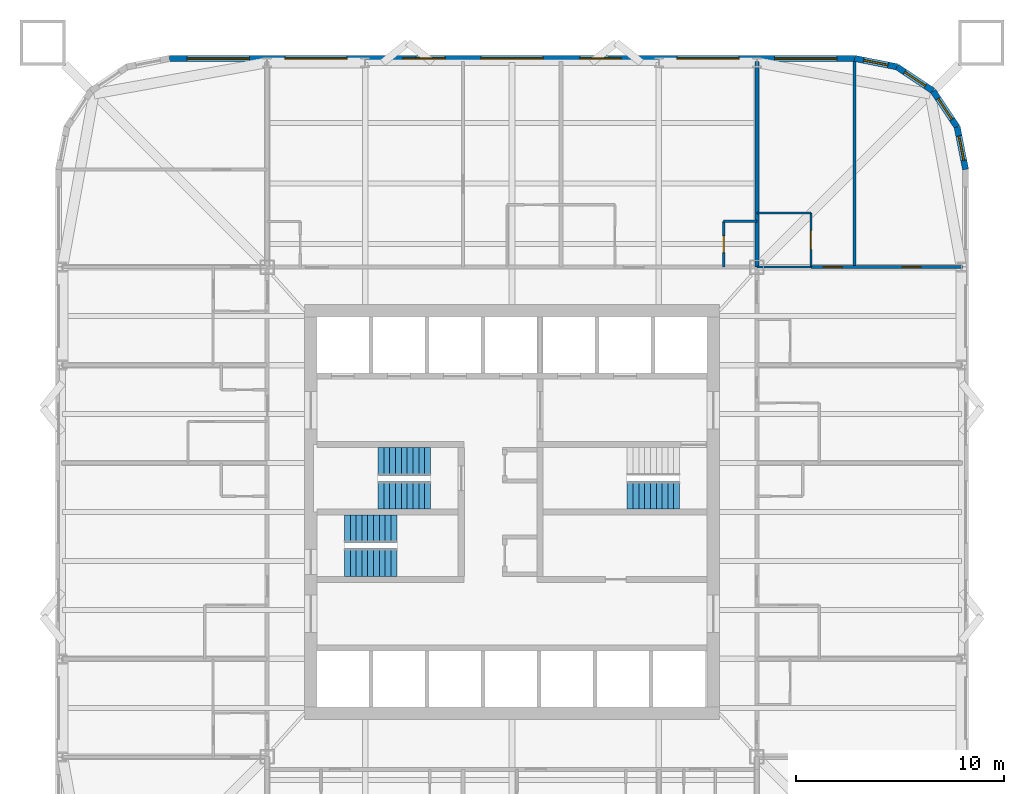
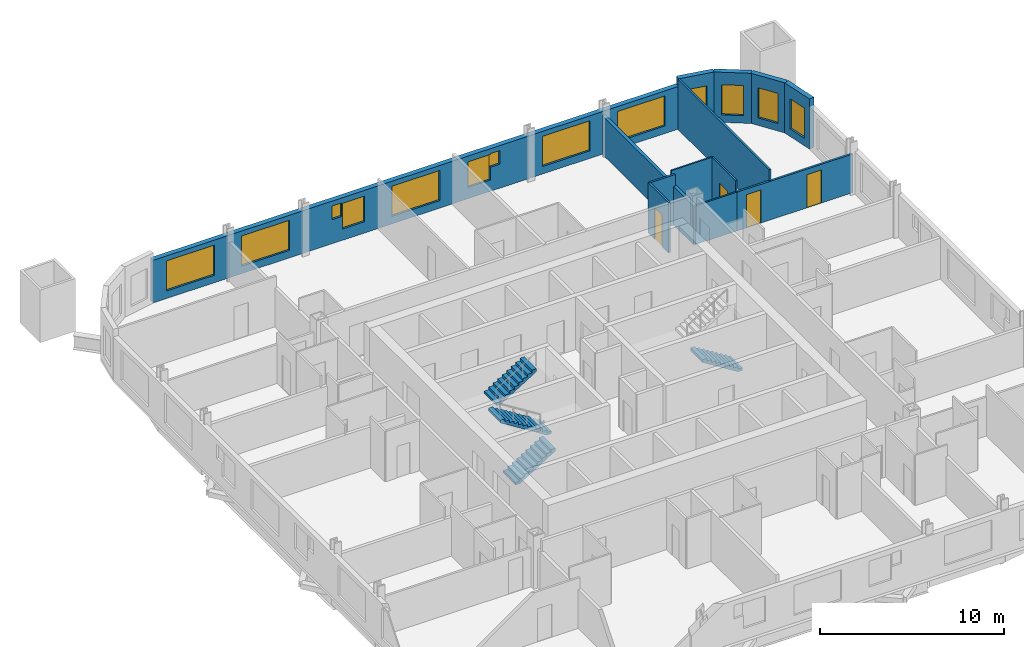
# One storey, part 8 of 10: 13 walls, 13 windows, 5 stair flights, 4 doors, 17 openings, 3 elements without a shape of their own.
"""IFC4 building model written with IfcOpenShell, lengths in metres."""

import ifcopenshell
import ifcopenshell.guid

model = None  # the IFC model being written
_history = None  # IfcOwnerHistory: only IFC2X3 demands one
_inside = {}  # id of a spatial element -> (the spatial element, [elements in it])
_under = {}  # id of a project, library or spatial element -> (it, [spatial elements below it])
_declared = {}  # id of a project -> (the project, [libraries it declares])
_typed = {}  # id of a type object -> (the type object, [elements of that type])
_made_of = {}  # id of a material, layer set ... -> (it, [elements and type objects made of it])


def new_model(schema):
    """Start an empty IFC model of exactly this schema.

    Asked for "IFC4X3", IfcOpenShell would pick the latest addendum, in which some entities
    have other attributes; the version numbers below select the first issue.
    IFC2X3 requires an IfcOwnerHistory on every rooted entity: one is made here for all.
    """
    global model, _history
    if schema == "IFC4X3":
        model = ifcopenshell.file(schema_version=(4, 3, 0, 0))
    else:
        model = ifcopenshell.file(schema=schema)
    _inside.clear()
    _under.clear()
    _declared.clear()
    _typed.clear()
    _made_of.clear()
    _history = None
    if model.schema == "IFC2X3":
        org = make("IfcOrganization", Name="unknown")
        user = make(
            "IfcPersonAndOrganization",
            ThePerson=make("IfcPerson", FamilyName="unknown"),
            TheOrganization=org,
        )
        app = make(
            "IfcApplication",
            ApplicationDeveloper=org,
            Version="unknown",
            ApplicationFullName="unknown",
            ApplicationIdentifier="unknown",
        )
        _history = make(
            "IfcOwnerHistory",
            OwningUser=user,
            OwningApplication=app,
            ChangeAction="ADDED",
            CreationDate=0,
        )
    return model


def make(cls, **values):
    """One entity of the class cls with the attributes given. An attribute that is None is left unset."""
    return model.create_entity(
        cls, **{name: value for name, value in values.items() if value is not None}
    )


def rooted(cls, **values):
    """An entity with a GlobalId (a new one), such as an element, a storey or a relation."""
    return make(cls, GlobalId=ifcopenshell.guid.new(), OwnerHistory=_history, **values)


def si_unit(unit_type, name, prefix=None):
    """IfcSIUnit, for example si_unit("LENGTHUNIT", "METRE", prefix="MILLI")."""
    return make("IfcSIUnit", UnitType=unit_type, Prefix=prefix, Name=name)


def assignment(units):
    """IfcUnitAssignment: the units of a project."""
    return None if units is None else make("IfcUnitAssignment", Units=units)


def point(xyz):
    """IfcCartesianPoint."""
    return None if xyz is None else make("IfcCartesianPoint", Coordinates=xyz)


def direction(xyz):
    """IfcDirection."""
    return None if xyz is None else make("IfcDirection", DirectionRatios=xyz)


def frame(location, z_axis=None, x_axis=None):
    """IfcAxis2Placement3D, a coordinate frame: its origin and axes. An axis left out is left unset."""
    return make(
        "IfcAxis2Placement3D",
        Location=point(location),
        Axis=direction(z_axis),
        RefDirection=direction(x_axis),
    )


def frame_2d(location, x_axis=None):
    """IfcAxis2Placement2D, a coordinate frame in the plane: its origin and x axis."""
    return make(
        "IfcAxis2Placement2D", Location=point(location), RefDirection=direction(x_axis)
    )


def origin():
    """The frame at (0, 0, 0) with its axes left unset."""
    return frame((0.0, 0.0, 0.0))


def place(relative_to, where):
    """IfcLocalPlacement: puts the frame where relative to a parent placement (None: the world)."""
    return make(
        "IfcLocalPlacement", PlacementRelTo=relative_to, RelativePlacement=where
    )


def context(
    kind, dimensions, precision=None, world=None, true_north=None, identifier=None
):
    """IfcGeometricRepresentationContext, for example the 3D "Model" context."""
    return make(
        "IfcGeometricRepresentationContext",
        ContextIdentifier=identifier,
        ContextType=kind,
        CoordinateSpaceDimension=dimensions,
        Precision=precision,
        WorldCoordinateSystem=world,
        TrueNorth=true_north,
    )


def subcontext(parent, identifier, kind, view, scale=None):
    """IfcGeometricRepresentationSubContext, for example "Body" below "Model"."""
    return make(
        "IfcGeometricRepresentationSubContext",
        ContextIdentifier=identifier,
        ContextType=kind,
        ParentContext=parent,
        TargetScale=scale,
        TargetView=view,
    )


def project(units=None, contexts=None):
    """IfcProject with its units and contexts."""
    return rooted(
        "IfcProject",
        Name="project",
        RepresentationContexts=contexts,
        UnitsInContext=assignment(units),
    )


def spatial(cls, under=None, at=None, **own):
    """A site, building, storey or space (cls), placed at a placement, below another one or the project."""
    s = rooted(cls, ObjectPlacement=at, **own)
    if under is not None:
        _under.setdefault(under.id(), (under, []))[1].append(s)
    return s


def polyline(points):
    """IfcPolyline through the points."""
    return make("IfcPolyline", Points=[point(p) for p in points])


def profile(cls, at=None, kind="AREA", **sizes):
    """A parametric profile (cls). Its sizes go by their IFC names, for example OverallWidth=200.0."""
    return make(cls, ProfileType=kind, Position=at, **sizes)


def rectangle(**sizes):
    """IfcRectangleProfileDef."""
    return profile("IfcRectangleProfileDef", **sizes)


def outline(outer, holes=None, kind="AREA"):
    """IfcArbitraryClosedProfileDef: a profile drawn as a closed curve; with holes, ...WithVoids."""
    if holes is None:
        return make("IfcArbitraryClosedProfileDef", ProfileType=kind, OuterCurve=outer)
    return make(
        "IfcArbitraryProfileDefWithVoids",
        ProfileType=kind,
        OuterCurve=outer,
        InnerCurves=holes,
    )


def extrude(swept, where, along, depth):
    """IfcExtrudedAreaSolid: the profile swept, set in the frame where, extruded along a direction by depth."""
    return make(
        "IfcExtrudedAreaSolid",
        SweptArea=swept,
        Position=where,
        ExtrudedDirection=direction(along),
        Depth=depth,
    )


def shape(context_of_items, identifier, shape_type, items):
    """IfcShapeRepresentation: the items that make up one representation, for example the "Body"."""
    return make(
        "IfcShapeRepresentation",
        ContextOfItems=context_of_items,
        RepresentationIdentifier=identifier,
        RepresentationType=shape_type,
        Items=items,
    )


def material(Name=None, Category=None):
    """IfcMaterial."""
    return make("IfcMaterial", Name=Name, Category=Category)


def layer(
    of_material, thickness, ventilated=None, Name=None, Category=None, Priority=None
):
    """IfcMaterialLayer: one layer of a wall or slab, of a material (None: an air gap)."""
    return make(
        "IfcMaterialLayer",
        Material=of_material,
        LayerThickness=thickness,
        IsVentilated=ventilated,
        Name=Name,
        Category=Category,
        Priority=Priority,
    )


def layer_set(layers, Name=None):
    """IfcMaterialLayerSet."""
    return make("IfcMaterialLayerSet", MaterialLayers=layers, LayerSetName=Name)


def made_of(thing, what):
    """Note that an element or type object is made of a material, layer set ...; save() writes the relation."""
    if what is not None:
        _made_of.setdefault(what.id(), (what, []))[1].append(thing)
    return thing


def type_object(cls, material=None, **own):
    """A type object (cls), such as IfcWallType, which elements share."""
    return made_of(rooted(cls, **own), material)


def element(
    cls,
    number,
    at=None,
    inside=None,
    cuts=None,
    type_object=None,
    material=None,
    context=None,
    identifier="Body",
    shape_type=None,
    held_by="IfcProductDefinitionShape",
    body=None,
    shapes=None,
    **own,
):
    """One element of the class cls, such as IfcWall. Its Tag is "e" and its number.

    at: its placement. inside: the storey or other place that contains it. cuts: it is an
    opening in that element (IfcRelVoidsElement). A single representation is given by context,
    identifier, shape_type and body (its items); several are given by shapes. held_by: the class
    of the entity that holds the representations. save() writes the other relations.
    """
    e = rooted(cls, Tag="e%d" % number, ObjectPlacement=at, **own)
    if body is not None:
        shapes = [shape(context, identifier, shape_type, body)]
    if shapes is not None:
        e.Representation = make(held_by, Representations=shapes)
    if inside is not None:
        _inside.setdefault(inside.id(), (inside, []))[1].append(e)
    if cuts is not None:
        rooted(
            "IfcRelVoidsElement", RelatingBuildingElement=cuts, RelatedOpeningElement=e
        )
    if type_object is not None:
        _typed.setdefault(type_object.id(), (type_object, []))[1].append(e)
    return made_of(e, material)


def fill(opening, filler):
    """IfcRelFillsElement: the door or window that sits in an opening."""
    return rooted(
        "IfcRelFillsElement",
        RelatingOpeningElement=opening,
        RelatedBuildingElement=filler,
    )


def aggregate(whole, parts):
    """IfcRelAggregates: a whole, such as a stair, and the parts it consists of."""
    return rooted("IfcRelAggregates", RelatingObject=whole, RelatedObjects=parts)


def save(model, path):
    """Write the relations noted so far, then the file.

    IfcRelAggregates (storeys below a building ...), IfcRelContainedInSpatialStructure (elements
    in a storey), IfcRelDefinesByType, IfcRelAssociatesMaterial and IfcRelDeclares: one each for
    every whole, place, type object, material and project.
    """
    for whole, parts in _under.values():
        aggregate(whole, parts)
    for where, things in _inside.values():
        rooted(
            "IfcRelContainedInSpatialStructure",
            RelatedElements=things,
            RelatingStructure=where,
        )
    for kind, things in _typed.values():
        rooted("IfcRelDefinesByType", RelatedObjects=things, RelatingType=kind)
    for what, things in _made_of.values():
        rooted("IfcRelAssociatesMaterial", RelatedObjects=things, RelatingMaterial=what)
    for by, libraries in _declared.values():
        rooted("IfcRelDeclares", RelatingContext=by, RelatedDefinitions=libraries)
    model.write(path)


model = new_model("IFC4")

# Units and contexts
model_context = context("Model", 3, precision=1e-05, world=origin(), true_north=direction((0.0, 1.0)))
body_context = subcontext(model_context, "Body", "Model", "MODEL_VIEW")
ifc_project = project(units=[si_unit("LENGTHUNIT", "METRE"), si_unit("AREAUNIT", "SQUARE_METRE"), si_unit("VOLUMEUNIT", "CUBIC_METRE"), si_unit("PLANEANGLEUNIT", "RADIAN"), si_unit("MASSUNIT", "GRAM", prefix="KILO")], contexts=[model_context])

# Site, building, storey
site_placement = place(None, origin())
site = spatial("IfcSite", under=ifc_project, at=site_placement, CompositionType="ELEMENT")
building_placement = place(site_placement, origin())
building = spatial("IfcBuilding", under=site, at=building_placement, Name="Turquesa Mirador Hotel Tower", CompositionType="ELEMENT")
storey_placement = place(building_placement, frame((0.0, 0.0, 63.5)))
storey = spatial("IfcBuildingStorey", under=building, at=storey_placement, Name="L16", CompositionType="ELEMENT", Elevation=63.5)

# Walls
ifc_material_1 = material(Name="Gypsum board on steel studs", Category="steel")
ifc_layer_1 = layer(ifc_material_1, 0.10009765625)
ifc_layer_set_1 = layer_set([ifc_layer_1], Name="BATHROOM WALL 100")
wall_type_1 = type_object("IfcWallType", Name="BATHROOM WALL 100", PredefinedType="PARTITIONING", material=ifc_layer_set_1)
wall_1_placement = place(storey_placement, frame((66.800048828125, 56.800048828125, 0.0), z_axis=(0.0, 0.0, 1.0), x_axis=(1.0, 0.0, 0.0)))
element("IfcWall", 1, at=wall_1_placement, inside=storey, type_object=wall_type_1, Name="Partition L16 021", PredefinedType="PARTITIONING", context=body_context, shape_type="SweptSolid", body=[
    extrude(rectangle(XDim=2.599853515625, YDim=0.10009765625, at=frame_2d((1.2998046875, 0.0))), origin(), (0.0, 0.0, 1.0), 2.572998046875),
])
wall_2_placement = place(storey_placement, frame((66.800048828125, 59.39990234375, 0.0), z_axis=(0.0, 0.0, 1.0), x_axis=(1.0, 0.0, 0.0)))
element("IfcWall", 2, at=wall_2_placement, inside=storey, type_object=wall_type_1, Name="Partition L16 027", PredefinedType="PARTITIONING", context=body_context, shape_type="SweptSolid", body=[
    extrude(rectangle(XDim=2.599853515625, YDim=0.10009765625, at=frame_2d((1.2998046875, 0.0))), origin(), (0.0, 0.0, 1.0), 3.330078125),
])

# Wall, opening, door
wall_3_placement = place(storey_placement, frame((69.39990234375, 56.800048828125, 0.0), z_axis=(0.0, 0.0, 1.0), x_axis=(0.0, 1.0, 0.0)))
wall_3 = element("IfcWall", 3, at=wall_3_placement, inside=storey, type_object=wall_type_1, Name="Partition L16 065", PredefinedType="PARTITIONING", context=body_context, shape_type="SweptSolid", body=[
    extrude(rectangle(XDim=2.599853515625, YDim=0.10009765625, at=frame_2d((1.2998046875, 0.0))), origin(), (0.0, 0.0, 1.0), 3.330078125),
])
opening_1_placement = place(wall_3_placement, frame((0.85009765625, 0.0, 0.0)))
opening_1 = element("IfcOpeningElement", 4, at=opening_1_placement, cuts=wall_3, Name="Opening D02", PredefinedType="OPENING", context=body_context, shape_type="SweptSolid", body=[
    extrude(rectangle(XDim=0.89990234375, YDim=2.10009765625, at=frame_2d((0.449951171875, 1.050048828125))), frame((0.0, 0.06005859375, 0.0), z_axis=(0.0, -1.0, 0.0), x_axis=(1.0, 0.0, 0.0)), (0.0, 0.0, 1.0), 0.1201171875),
])
ifc_material_2 = material(Name="Timber veneered door", Category="wood")
door_type_1 = type_object("IfcDoorType", Name="DOOR 900X2100 EN-SUITE", OperationType="SINGLE_SWING_RIGHT", PredefinedType="DOOR", material=ifc_material_2)
door_1_placement = place(opening_1_placement, origin())
door_1 = element("IfcDoor", 5, at=door_1_placement, inside=storey, type_object=door_type_1, Name="Door 1610B", OperationType="SINGLE_SWING_RIGHT", OverallHeight=2.10009765625, OverallWidth=0.89990234375, PredefinedType="DOOR", context=body_context, shape_type="SweptSolid", body=[
    extrude(rectangle(XDim=0.89990234375, YDim=2.10009765625, at=frame_2d((0.449951171875, 1.050048828125))), frame((0.0, 0.02490234375, 0.0), z_axis=(0.0, -1.0, 0.0), x_axis=(1.0, 0.0, 0.0)), (0.0, 0.0, 1.0), 0.050048828125),
])
fill(opening_1, door_1)

# Wall, opening, window
ifc_material_3 = material(Name="Limestone cladding on concrete block", Category="masonry")
ifc_layer_2 = layer(ifc_material_3, 0.300048828125)
ifc_layer_set_2 = layer_set([ifc_layer_2], Name="FACADE WALL 300 STONE SCREEN")
wall_type_2 = type_object("IfcWallType", Name="FACADE WALL 300 STONE SCREEN", PredefinedType="SOLIDWALL", material=ifc_layer_set_2)
wall_4_placement = place(storey_placement, frame((76.85009765625, 61.5, 0.0), z_axis=(0.0, 0.0, 1.0), x_axis=(-0.195081421501, 0.980787050784, 0.0)))
wall_4 = element("IfcWall", 6, at=wall_4_placement, inside=storey, type_object=wall_type_2, Name="Facade wall L16 05", PredefinedType="SOLIDWALL", context=body_context, shape_type="SweptSolid", body=[
    extrude(rectangle(XDim=2.08740234375, YDim=0.300048828125, at=frame_2d((1.043701171875, 0.0))), origin(), (0.0, 0.0, 1.0), 3.330078125),
])
opening_2_placement = place(wall_4_placement, frame((0.443603515625, 0.0, 0.5)))
opening_2 = element("IfcOpeningElement", 7, at=opening_2_placement, cuts=wall_4, Name="Opening WN4", PredefinedType="OPENING", context=body_context, shape_type="SweptSolid", body=[
    extrude(rectangle(XDim=1.199951171875, YDim=2.0, at=frame_2d((0.60009765625, 1.0))), frame((0.0, 0.159912109375, 0.0), z_axis=(0.0, -1.0, 0.0), x_axis=(1.0, 0.0, 0.0)), (0.0, 0.0, 1.0), 0.320068359375),
])
ifc_material_4 = material(Name="Ceramic-fritted laminated glass", Category="glass")
window_type_1 = type_object("IfcWindowType", Name="FRITTED CORNER WINDOW 1200X2000", PartitioningType="DOUBLE_PANEL_HORIZONTAL", PredefinedType="WINDOW", material=ifc_material_4)
window_1_placement = place(opening_2_placement, origin())
window_1 = element("IfcWindow", 8, at=window_1_placement, inside=storey, type_object=window_type_1, Name="Window L16", OverallHeight=2.0, OverallWidth=1.199951171875, PartitioningType="SINGLE_PANEL", PredefinedType="WINDOW", context=body_context, shape_type="SweptSolid", body=[
    extrude(rectangle(XDim=1.199951171875, YDim=2.0, at=frame_2d((0.60009765625, 1.0))), frame((0.0, 0.030029296875, 0.0), z_axis=(0.0, -1.0, 0.0), x_axis=(1.0, 0.0, 0.0)), (0.0, 0.0, 1.0), 0.06005859375),
])
fill(opening_2, window_1)

wall_5_placement = place(storey_placement, frame((76.44287109375, 63.54736328125, 0.0), z_axis=(0.0, 0.0, 1.0), x_axis=(-0.555644460423, 0.831420010345, 0.0)))
wall_5 = element("IfcWall", 9, at=wall_5_placement, inside=storey, type_object=wall_type_2, Name="Facade wall L16 06", PredefinedType="SOLIDWALL", context=body_context, shape_type="SweptSolid", body=[
    extrude(rectangle(XDim=2.08740234375, YDim=0.300048828125, at=frame_2d((1.043701171875, 0.0))), origin(), (0.0, 0.0, 1.0), 3.330078125),
])
opening_3_placement = place(wall_5_placement, frame((0.443603515625, 0.0, 0.5)))
opening_3 = element("IfcOpeningElement", 10, at=opening_3_placement, cuts=wall_5, Name="Opening WN4", PredefinedType="OPENING", context=body_context, shape_type="SweptSolid", body=[
    extrude(rectangle(XDim=1.199951171875, YDim=2.0, at=frame_2d((0.60009765625, 1.0))), frame((0.0, 0.159912109375, 0.0), z_axis=(0.0, -1.0, 0.0), x_axis=(1.0, 0.0, 0.0)), (0.0, 0.0, 1.0), 0.320068359375),
])
window_2_placement = place(opening_3_placement, origin())
window_2 = element("IfcWindow", 11, at=window_2_placement, inside=storey, type_object=window_type_1, Name="Window L16", OverallHeight=2.0, OverallWidth=1.199951171875, PartitioningType="SINGLE_PANEL", PredefinedType="WINDOW", context=body_context, shape_type="SweptSolid", body=[
    extrude(rectangle(XDim=1.199951171875, YDim=2.0, at=frame_2d((0.60009765625, 1.0))), frame((0.0, 0.030029296875, 0.0), z_axis=(0.0, -1.0, 0.0), x_axis=(1.0, 0.0, 0.0)), (0.0, 0.0, 1.0), 0.06005859375),
])
fill(opening_3, window_2)

wall_6_placement = place(storey_placement, frame((75.282958984375, 65.282958984375, 0.0), z_axis=(0.0, 0.0, 1.0), x_axis=(-0.831420010345, 0.555644460423, 0.0)))
wall_6 = element("IfcWall", 12, at=wall_6_placement, inside=storey, type_object=wall_type_2, Name="Facade wall L16 07", PredefinedType="SOLIDWALL", context=body_context, shape_type="SweptSolid", body=[
    extrude(rectangle(XDim=2.08740234375, YDim=0.300048828125, at=frame_2d((1.043701171875, 0.0))), origin(), (0.0, 0.0, 1.0), 3.330078125),
])
opening_4_placement = place(wall_6_placement, frame((0.443603515625, 0.0, 0.5)))
opening_4 = element("IfcOpeningElement", 13, at=opening_4_placement, cuts=wall_6, Name="Opening WN4", PredefinedType="OPENING", context=body_context, shape_type="SweptSolid", body=[
    extrude(rectangle(XDim=1.199951171875, YDim=2.0, at=frame_2d((0.60009765625, 1.0))), frame((0.0, 0.159912109375, 0.0), z_axis=(0.0, -1.0, 0.0), x_axis=(1.0, 0.0, 0.0)), (0.0, 0.0, 1.0), 0.320068359375),
])
window_3_placement = place(opening_4_placement, origin())
window_3 = element("IfcWindow", 14, at=window_3_placement, inside=storey, type_object=window_type_1, Name="Window L16", OverallHeight=2.0, OverallWidth=1.199951171875, PartitioningType="SINGLE_PANEL", PredefinedType="WINDOW", context=body_context, shape_type="SweptSolid", body=[
    extrude(rectangle(XDim=1.199951171875, YDim=2.0, at=frame_2d((0.60009765625, 1.0))), frame((0.0, 0.030029296875, 0.0), z_axis=(0.0, -1.0, 0.0), x_axis=(1.0, 0.0, 0.0)), (0.0, 0.0, 1.0), 0.06005859375),
])
fill(opening_4, window_3)

wall_7_placement = place(storey_placement, frame((73.54736328125, 66.44287109375, 0.0), z_axis=(0.0, 0.0, 1.0), x_axis=(-0.980787050784, 0.195081421501, 0.0)))
wall_7 = element("IfcWall", 15, at=wall_7_placement, inside=storey, type_object=wall_type_2, Name="Facade wall L16 08", PredefinedType="SOLIDWALL", context=body_context, shape_type="SweptSolid", body=[
    extrude(rectangle(XDim=2.08740234375, YDim=0.300048828125, at=frame_2d((1.043701171875, 0.0))), origin(), (0.0, 0.0, 1.0), 3.330078125),
])
opening_5_placement = place(wall_7_placement, frame((0.443603515625, 0.0, 0.5)))
opening_5 = element("IfcOpeningElement", 16, at=opening_5_placement, cuts=wall_7, Name="Opening WN4", PredefinedType="OPENING", context=body_context, shape_type="SweptSolid", body=[
    extrude(rectangle(XDim=1.199951171875, YDim=2.0, at=frame_2d((0.60009765625, 1.0))), frame((0.0, 0.159912109375, 0.0), z_axis=(0.0, -1.0, 0.0), x_axis=(1.0, 0.0, 0.0)), (0.0, 0.0, 1.0), 0.320068359375),
])
window_4_placement = place(opening_5_placement, origin())
window_4 = element("IfcWindow", 17, at=window_4_placement, inside=storey, type_object=window_type_1, Name="Window L16", OverallHeight=2.0, OverallWidth=1.199951171875, PartitioningType="SINGLE_PANEL", PredefinedType="WINDOW", context=body_context, shape_type="SweptSolid", body=[
    extrude(rectangle(XDim=1.199951171875, YDim=2.0, at=frame_2d((0.60009765625, 1.0))), frame((0.0, 0.030029296875, 0.0), z_axis=(0.0, -1.0, 0.0), x_axis=(1.0, 0.0, 0.0)), (0.0, 0.0, 1.0), 0.06005859375),
])
fill(opening_5, window_4)

# Wall, openings, windows
wall_8_placement = place(storey_placement, frame((71.5, 66.85009765625, 0.0), z_axis=(0.0, 0.0, 1.0), x_axis=(-1.0, 0.0, 0.0)))
wall_8 = element("IfcWall", 18, at=wall_8_placement, inside=storey, type_object=wall_type_2, Name="Facade wall L16 09", PredefinedType="SOLIDWALL", context=body_context, shape_type="SweptSolid", body=[
    extrude(rectangle(XDim=33.0, YDim=0.300048828125, at=frame_2d((16.5, 0.0))), origin(), (0.0, 0.0, 1.0), 2.830078125),
])
opening_6_placement = place(wall_8_placement, frame((0.85009765625, 0.0, 0.5)))
opening_6 = element("IfcOpeningElement", 19, at=opening_6_placement, cuts=wall_8, Name="Opening WN1", PredefinedType="OPENING", context=body_context, shape_type="SweptSolid", body=[
    extrude(rectangle(XDim=3.0, YDim=2.0, at=frame_2d((1.5, 1.0))), frame((0.0, 0.159912109375, 0.0), z_axis=(0.0, -1.0, 0.0), x_axis=(1.0, 0.0, 0.0)), (0.0, 0.0, 1.0), 0.320068359375),
])
opening_7_placement = place(wall_8_placement, frame((5.56005859375, 0.0, 0.5)))
opening_7 = element("IfcOpeningElement", 20, at=opening_7_placement, cuts=wall_8, Name="Opening WN1", PredefinedType="OPENING", context=body_context, shape_type="SweptSolid", body=[
    extrude(rectangle(XDim=3.0, YDim=2.0, at=frame_2d((1.5, 1.0))), frame((0.0, 0.159912109375, 0.0), z_axis=(0.0, -1.0, 0.0), x_axis=(1.0, 0.0, 0.0)), (0.0, 0.0, 1.0), 0.320068359375),
])
opening_8_placement = place(wall_8_placement, frame((11.830078125, 0.0, 0.75)))
opening_8 = element("IfcOpeningElement", 21, at=opening_8_placement, cuts=wall_8, Name="Opening WN43", PredefinedType="OPENING", context=body_context, shape_type="SweptSolid", body=[
    extrude(rectangle(XDim=1.39990234375, YDim=1.699951171875, at=frame_2d((0.699951171875, 0.85009765625))), frame((0.0, 0.159912109375, 0.0), z_axis=(0.0, -1.0, 0.0), x_axis=(1.0, 0.0, 0.0)), (0.0, 0.0, 1.0), 0.320068359375),
])
opening_9_placement = place(wall_8_placement, frame((15.0, 0.0, 0.5)))
opening_9 = element("IfcOpeningElement", 22, at=opening_9_placement, cuts=wall_8, Name="Opening WN1", PredefinedType="OPENING", context=body_context, shape_type="SweptSolid", body=[
    extrude(rectangle(XDim=3.0, YDim=2.0, at=frame_2d((1.5, 1.0))), frame((0.0, 0.159912109375, 0.0), z_axis=(0.0, -1.0, 0.0), x_axis=(1.0, 0.0, 0.0)), (0.0, 0.0, 1.0), 0.320068359375),
])
opening_10_placement = place(wall_8_placement, frame((19.719970703125, 0.0, 0.75)))
opening_10 = element("IfcOpeningElement", 23, at=opening_10_placement, cuts=wall_8, Name="Opening WN43", PredefinedType="OPENING", context=body_context, shape_type="SweptSolid", body=[
    extrude(rectangle(XDim=1.39990234375, YDim=1.699951171875, at=frame_2d((0.699951171875, 0.85009765625))), frame((0.0, 0.159912109375, 0.0), z_axis=(0.0, -1.0, 0.0), x_axis=(1.0, 0.0, 0.0)), (0.0, 0.0, 1.0), 0.320068359375),
])
opening_11_placement = place(wall_8_placement, frame((24.43994140625, 0.0, 0.5)))
opening_11 = element("IfcOpeningElement", 24, at=opening_11_placement, cuts=wall_8, Name="Opening WN1", PredefinedType="OPENING", context=body_context, shape_type="SweptSolid", body=[
    extrude(rectangle(XDim=3.0, YDim=2.0, at=frame_2d((1.5, 1.0))), frame((0.0, 0.159912109375, 0.0), z_axis=(0.0, -1.0, 0.0), x_axis=(1.0, 0.0, 0.0)), (0.0, 0.0, 1.0), 0.320068359375),
])
opening_12_placement = place(wall_8_placement, frame((29.14990234375, 0.0, 0.5)))
opening_12 = element("IfcOpeningElement", 25, at=opening_12_placement, cuts=wall_8, Name="Opening WN1", PredefinedType="OPENING", context=body_context, shape_type="SweptSolid", body=[
    extrude(rectangle(XDim=3.0, YDim=2.0, at=frame_2d((1.5, 1.0))), frame((0.0, 0.159912109375, 0.0), z_axis=(0.0, -1.0, 0.0), x_axis=(1.0, 0.0, 0.0)), (0.0, 0.0, 1.0), 0.320068359375),
])
opening_13_placement = place(wall_8_placement, frame((11.22998046875, 0.0, 1.60009765625)))
opening_13 = element("IfcOpeningElement", 26, at=opening_13_placement, cuts=wall_8, Name="Opening WN25", PredefinedType="OPENING", context=body_context, shape_type="SweptSolid", body=[
    extrude(rectangle(XDim=0.60009765625, YDim=0.89990234375, at=frame_2d((0.300048828125, 0.449951171875))), frame((0.0, 0.159912109375, 0.0), z_axis=(0.0, -1.0, 0.0), x_axis=(1.0, 0.0, 0.0)), (0.0, 0.0, 1.0), 0.320068359375),
])
opening_14_placement = place(wall_8_placement, frame((21.169921875, 0.0, 1.60009765625)))
opening_14 = element("IfcOpeningElement", 27, at=opening_14_placement, cuts=wall_8, Name="Opening WN25", PredefinedType="OPENING", context=body_context, shape_type="SweptSolid", body=[
    extrude(rectangle(XDim=0.60009765625, YDim=0.89990234375, at=frame_2d((0.300048828125, 0.449951171875))), frame((0.0, 0.159912109375, 0.0), z_axis=(0.0, -1.0, 0.0), x_axis=(1.0, 0.0, 0.0)), (0.0, 0.0, 1.0), 0.320068359375),
])
ifc_material_5 = material(Name="Ceramic-fritted laminated glass", Category="glass")
window_type_2 = type_object("IfcWindowType", Name="FRITTED WINDOW 1400X1700", PartitioningType="DOUBLE_PANEL_HORIZONTAL", PredefinedType="WINDOW", material=ifc_material_5)
window_5_placement = place(opening_8_placement, origin())
window_5 = element("IfcWindow", 28, at=window_5_placement, inside=storey, type_object=window_type_2, Name="Window L16", OverallHeight=1.699951171875, OverallWidth=1.39990234375, PartitioningType="SINGLE_PANEL", PredefinedType="WINDOW", context=body_context, shape_type="SweptSolid", body=[
    extrude(rectangle(XDim=1.39990234375, YDim=1.699951171875, at=frame_2d((0.699951171875, 0.85009765625))), frame((0.0, 0.030029296875, 0.0), z_axis=(0.0, -1.0, 0.0), x_axis=(1.0, 0.0, 0.0)), (0.0, 0.0, 1.0), 0.06005859375),
])
fill(opening_8, window_5)
window_6_placement = place(opening_10_placement, origin())
window_6 = element("IfcWindow", 29, at=window_6_placement, inside=storey, type_object=window_type_2, Name="Window L16", OverallHeight=1.699951171875, OverallWidth=1.39990234375, PartitioningType="SINGLE_PANEL", PredefinedType="WINDOW", context=body_context, shape_type="SweptSolid", body=[
    extrude(rectangle(XDim=1.39990234375, YDim=1.699951171875, at=frame_2d((0.699951171875, 0.85009765625))), frame((0.0, 0.030029296875, 0.0), z_axis=(0.0, -1.0, 0.0), x_axis=(1.0, 0.0, 0.0)), (0.0, 0.0, 1.0), 0.06005859375),
])
fill(opening_10, window_6)
ifc_material_6 = material(Name="Ceramic-fritted laminated glass", Category="glass")
window_type_3 = type_object("IfcWindowType", Name="FRITTED WINDOW 3000X2000", PartitioningType="DOUBLE_PANEL_HORIZONTAL", PredefinedType="WINDOW", material=ifc_material_6)
window_7_placement = place(opening_6_placement, origin())
window_7 = element("IfcWindow", 30, at=window_7_placement, inside=storey, type_object=window_type_3, Name="Window L16", OverallHeight=2.0, OverallWidth=3.0, PartitioningType="SINGLE_PANEL", PredefinedType="WINDOW", context=body_context, shape_type="SweptSolid", body=[
    extrude(rectangle(XDim=3.0, YDim=2.0, at=frame_2d((1.5, 1.0))), frame((0.0, 0.030029296875, 0.0), z_axis=(0.0, -1.0, 0.0), x_axis=(1.0, 0.0, 0.0)), (0.0, 0.0, 1.0), 0.06005859375),
])
fill(opening_6, window_7)
window_8_placement = place(opening_7_placement, origin())
window_8 = element("IfcWindow", 31, at=window_8_placement, inside=storey, type_object=window_type_3, Name="Window L16", OverallHeight=2.0, OverallWidth=3.0, PartitioningType="SINGLE_PANEL", PredefinedType="WINDOW", context=body_context, shape_type="SweptSolid", body=[
    extrude(rectangle(XDim=3.0, YDim=2.0, at=frame_2d((1.5, 1.0))), frame((0.0, 0.030029296875, 0.0), z_axis=(0.0, -1.0, 0.0), x_axis=(1.0, 0.0, 0.0)), (0.0, 0.0, 1.0), 0.06005859375),
])
fill(opening_7, window_8)
window_9_placement = place(opening_9_placement, origin())
window_9 = element("IfcWindow", 32, at=window_9_placement, inside=storey, type_object=window_type_3, Name="Window L16", OverallHeight=2.0, OverallWidth=3.0, PartitioningType="SINGLE_PANEL", PredefinedType="WINDOW", context=body_context, shape_type="SweptSolid", body=[
    extrude(rectangle(XDim=3.0, YDim=2.0, at=frame_2d((1.5, 1.0))), frame((0.0, 0.030029296875, 0.0), z_axis=(0.0, -1.0, 0.0), x_axis=(1.0, 0.0, 0.0)), (0.0, 0.0, 1.0), 0.06005859375),
])
fill(opening_9, window_9)
window_10_placement = place(opening_11_placement, origin())
window_10 = element("IfcWindow", 33, at=window_10_placement, inside=storey, type_object=window_type_3, Name="Window L16", OverallHeight=2.0, OverallWidth=3.0, PartitioningType="SINGLE_PANEL", PredefinedType="WINDOW", context=body_context, shape_type="SweptSolid", body=[
    extrude(rectangle(XDim=3.0, YDim=2.0, at=frame_2d((1.5, 1.0))), frame((0.0, 0.030029296875, 0.0), z_axis=(0.0, -1.0, 0.0), x_axis=(1.0, 0.0, 0.0)), (0.0, 0.0, 1.0), 0.06005859375),
])
fill(opening_11, window_10)
window_11_placement = place(opening_12_placement, origin())
window_11 = element("IfcWindow", 34, at=window_11_placement, inside=storey, type_object=window_type_3, Name="Window L16", OverallHeight=2.0, OverallWidth=3.0, PartitioningType="SINGLE_PANEL", PredefinedType="WINDOW", context=body_context, shape_type="SweptSolid", body=[
    extrude(rectangle(XDim=3.0, YDim=2.0, at=frame_2d((1.5, 1.0))), frame((0.0, 0.030029296875, 0.0), z_axis=(0.0, -1.0, 0.0), x_axis=(1.0, 0.0, 0.0)), (0.0, 0.0, 1.0), 0.06005859375),
])
fill(opening_12, window_11)
ifc_material_7 = material(Name="Ceramic-fritted laminated glass", Category="glass")
window_type_4 = type_object("IfcWindowType", Name="FRITTED WINDOW 600X900", PartitioningType="DOUBLE_PANEL_HORIZONTAL", PredefinedType="WINDOW", material=ifc_material_7)
window_12_placement = place(opening_13_placement, origin())
window_12 = element("IfcWindow", 35, at=window_12_placement, inside=storey, type_object=window_type_4, Name="Window L16", OverallHeight=0.89990234375, OverallWidth=0.60009765625, PartitioningType="SINGLE_PANEL", PredefinedType="WINDOW", context=body_context, shape_type="SweptSolid", body=[
    extrude(rectangle(XDim=0.60009765625, YDim=0.89990234375, at=frame_2d((0.300048828125, 0.449951171875))), frame((0.0, 0.030029296875, 0.0), z_axis=(0.0, -1.0, 0.0), x_axis=(1.0, 0.0, 0.0)), (0.0, 0.0, 1.0), 0.06005859375),
])
fill(opening_13, window_12)
window_13_placement = place(opening_14_placement, origin())
window_13 = element("IfcWindow", 36, at=window_13_placement, inside=storey, type_object=window_type_4, Name="Window L16", OverallHeight=0.89990234375, OverallWidth=0.60009765625, PartitioningType="SINGLE_PANEL", PredefinedType="WINDOW", context=body_context, shape_type="SweptSolid", body=[
    extrude(rectangle(XDim=0.60009765625, YDim=0.89990234375, at=frame_2d((0.300048828125, 0.449951171875))), frame((0.0, 0.030029296875, 0.0), z_axis=(0.0, -1.0, 0.0), x_axis=(1.0, 0.0, 0.0)), (0.0, 0.0, 1.0), 0.06005859375),
])
fill(opening_14, window_13)

# Wall
ifc_material_8 = material(Name="Fire-rated gypsum board on steel studs", Category="steel")
ifc_layer_3 = layer(ifc_material_8, 0.199951171875)
ifc_layer_set_3 = layer_set([ifc_layer_3], Name="PARTY WALL 200")
wall_type_3 = type_object("IfcWallType", Name="PARTY WALL 200", PredefinedType="PARTITIONING", material=ifc_layer_set_3)
wall_9_placement = place(storey_placement, frame((66.800048828125, 56.800048828125, 0.0), z_axis=(0.0, 0.0, 1.0), x_axis=(0.0, 1.0, 0.0)))
element("IfcWall", 37, at=wall_9_placement, inside=storey, type_object=wall_type_3, Name="Partition L16 060", PredefinedType="PARTITIONING", context=body_context, shape_type="SweptSolid", body=[
    extrude(rectangle(XDim=9.89990234375, YDim=0.199951171875, at=frame_2d((4.949951171875, 0.0))), origin(), (0.0, 0.0, 1.0), 2.572998046875),
])

# Wall, openings, doors
ifc_material_9 = material(Name="Acoustic gypsum board on steel studs", Category="steel")
ifc_layer_4 = layer(ifc_material_9, 0.125)
ifc_layer_set_4 = layer_set([ifc_layer_4], Name="SUITE PARTITION 125")
wall_type_4 = type_object("IfcWallType", Name="SUITE PARTITION 125", PredefinedType="PARTITIONING", material=ifc_layer_set_4)
wall_10_placement = place(storey_placement, frame((69.39990234375, 56.800048828125, 0.0), z_axis=(0.0, 0.0, 1.0), x_axis=(1.0, 0.0, 0.0)))
wall_10 = element("IfcWall", 38, at=wall_10_placement, inside=storey, type_object=wall_type_4, Name="Partition L16 024", PredefinedType="PARTITIONING", context=body_context, shape_type="SweptSolid", body=[
    extrude(rectangle(XDim=7.300048828125, YDim=0.125, at=frame_2d((3.64990234375, 0.0))), origin(), (0.0, 0.0, 1.0), 2.572998046875),
])
opening_15_placement = place(wall_10_placement, frame((0.60009765625, 0.0, 0.0)))
opening_15 = element("IfcOpeningElement", 39, at=opening_15_placement, cuts=wall_10, Name="Opening D17", PredefinedType="OPENING", context=body_context, shape_type="SweptSolid", body=[
    extrude(rectangle(XDim=0.89990234375, YDim=2.199951171875, at=frame_2d((0.449951171875, 1.10009765625))), frame((0.0, 0.072509765625, 0.0), z_axis=(0.0, -1.0, 0.0), x_axis=(1.0, 0.0, 0.0)), (0.0, 0.0, 1.0), 0.14501953125),
])
opening_16_placement = place(wall_10_placement, frame((4.39990234375, 0.0, 0.0)))
opening_16 = element("IfcOpeningElement", 40, at=opening_16_placement, cuts=wall_10, Name="Opening D17", PredefinedType="OPENING", context=body_context, shape_type="SweptSolid", body=[
    extrude(rectangle(XDim=0.89990234375, YDim=2.199951171875, at=frame_2d((0.449951171875, 1.10009765625))), frame((0.0, 0.072509765625, 0.0), z_axis=(0.0, -1.0, 0.0), x_axis=(1.0, 0.0, 0.0)), (0.0, 0.0, 1.0), 0.14501953125),
])
ifc_material_10 = material(Name="Timber veneered door", Category="wood")
door_type_2 = type_object("IfcDoorType", Name="DOOR 900X2200 SUITE INTERNAL", OperationType="SINGLE_SWING_LEFT", PredefinedType="DOOR", material=ifc_material_10)
door_2_placement = place(opening_15_placement, origin())
door_2 = element("IfcDoor", 41, at=door_2_placement, inside=storey, type_object=door_type_2, Name="Door 1610R", OperationType="SINGLE_SWING_LEFT", OverallHeight=2.199951171875, OverallWidth=0.89990234375, PredefinedType="DOOR", context=body_context, shape_type="SweptSolid", body=[
    extrude(rectangle(XDim=0.89990234375, YDim=2.199951171875, at=frame_2d((0.449951171875, 1.10009765625))), frame((0.0, 0.02490234375, 0.0), z_axis=(0.0, -1.0, 0.0), x_axis=(1.0, 0.0, 0.0)), (0.0, 0.0, 1.0), 0.050048828125),
])
fill(opening_15, door_2)
door_3_placement = place(opening_16_placement, origin())
door_3 = element("IfcDoor", 42, at=door_3_placement, inside=storey, type_object=door_type_2, Name="Door 1610S", OperationType="SINGLE_SWING_LEFT", OverallHeight=2.199951171875, OverallWidth=0.89990234375, PredefinedType="DOOR", context=body_context, shape_type="SweptSolid", body=[
    extrude(rectangle(XDim=0.89990234375, YDim=2.199951171875, at=frame_2d((0.449951171875, 1.10009765625))), frame((0.0, 0.02490234375, 0.0), z_axis=(0.0, -1.0, 0.0), x_axis=(1.0, 0.0, 0.0)), (0.0, 0.0, 1.0), 0.050048828125),
])
fill(opening_16, door_3)

# Wall
wall_11_placement = place(storey_placement, frame((65.199951171875, 59.0, 0.0), z_axis=(0.0, 0.0, 1.0), x_axis=(1.0, 0.0, 0.0)))
element("IfcWall", 43, at=wall_11_placement, inside=storey, type_object=wall_type_4, Name="Partition L16 026", PredefinedType="PARTITIONING", context=body_context, shape_type="SweptSolid", body=[
    extrude(rectangle(XDim=1.60009765625, YDim=0.125, at=frame_2d((0.800048828125, 0.0))), origin(), (0.0, 0.0, 1.0), 3.330078125),
])

# Wall, opening, door
wall_12_placement = place(storey_placement, frame((65.199951171875, 56.800048828125, 0.0), z_axis=(0.0, 0.0, 1.0), x_axis=(0.0, 1.0, 0.0)))
wall_12 = element("IfcWall", 44, at=wall_12_placement, inside=storey, type_object=wall_type_4, Name="Partition L16 057", PredefinedType="PARTITIONING", context=body_context, shape_type="SweptSolid", body=[
    extrude(rectangle(XDim=2.199951171875, YDim=0.125, at=frame_2d((1.10009765625, 0.0))), origin(), (0.0, 0.0, 1.0), 3.330078125),
])
opening_17_placement = place(wall_12_placement, frame((0.699951171875, 0.0, 0.0)))
opening_17 = element("IfcOpeningElement", 45, at=opening_17_placement, cuts=wall_12, Name="Opening D20", PredefinedType="OPENING", context=body_context, shape_type="SweptSolid", body=[
    extrude(rectangle(XDim=0.800048828125, YDim=2.10009765625, at=frame_2d((0.39990234375, 1.050048828125))), frame((0.0, 0.072509765625, 0.0), z_axis=(0.0, -1.0, 0.0), x_axis=(1.0, 0.0, 0.0)), (0.0, 0.0, 1.0), 0.14501953125),
])
ifc_material_11 = material(Name="Timber veneered sliding door", Category="wood")
door_type_3 = type_object("IfcDoorType", Name="DOOR 800X2100 WARDROBE", OperationType="SLIDING_TO_LEFT", PredefinedType="DOOR", material=ifc_material_11)
door_4_placement = place(opening_17_placement, origin())
door_4 = element("IfcDoor", 46, at=door_4_placement, inside=storey, type_object=door_type_3, Name="Door 1602W", OperationType="SLIDING_TO_LEFT", OverallHeight=2.10009765625, OverallWidth=0.800048828125, PredefinedType="DOOR", context=body_context, shape_type="SweptSolid", body=[
    extrude(rectangle(XDim=0.800048828125, YDim=2.10009765625, at=frame_2d((0.39990234375, 1.050048828125))), frame((0.0, 0.02490234375, 0.0), z_axis=(0.0, -1.0, 0.0), x_axis=(1.0, 0.0, 0.0)), (0.0, 0.0, 1.0), 0.050048828125),
])
fill(opening_17, door_4)

# Wall
wall_13_placement = place(storey_placement, frame((71.5, 56.800048828125, 0.0), z_axis=(0.0, 0.0, 1.0), x_axis=(0.0, 1.0, 0.0)))
element("IfcWall", 47, at=wall_13_placement, inside=storey, type_object=wall_type_4, Name="Partition L16 069", PredefinedType="PARTITIONING", context=body_context, shape_type="SweptSolid", body=[
    extrude(rectangle(XDim=9.89404296875, YDim=0.125, at=frame_2d((4.947021484375, 0.0))), origin(), (0.0, 0.0, 1.0), 3.330078125),
])

# Stair, stair flights
ifc_material_12 = material(Name="Concrete C35/45", Category="concrete")
stair_type = type_object("IfcStairType", Name="ESCAPE STAIR CORE", PredefinedType="HALF_TURN_STAIR", material=ifc_material_12)
stair_1_placement = place(storey_placement, origin())
stair_1 = element("IfcStair", 48, at=stair_1_placement, inside=storey, type_object=stair_type, Name="Stair ST1 L16 to L17", PredefinedType="HALF_TURN_STAIR")
ifc_material_13 = material(Name="Concrete C35/45 precast flight", Category="concrete")
stair_flight_type = type_object("IfcStairFlightType", Name="STAIR FLIGHT 1330", PredefinedType="STRAIGHT", material=ifc_material_13)
stair_flight_1_placement = place(storey_placement, frame((51.070068359375, 45.81494140625, 0.0), z_axis=(0.0, 0.0, 1.0), x_axis=(-1.0, 0.0, 0.0)))
stair_flight_1 = element("IfcStairFlight", 49, at=stair_flight_1_placement, type_object=stair_flight_type, Name="ST1 flight 1", NumberOfRisers=10, NumberOfTreads=9, PredefinedType="STRAIGHT", RiserHeight=0.175, TreadLength=0.28, context=body_context, shape_type="SweptSolid", body=[
    extrude(outline(polyline([(0.0, 0.0), (0.0, 0.175048828125), (0.280029296875, 0.175048828125), (0.280029296875, 0.35009765625), (0.56005859375, 0.35009765625), (0.56005859375, 0.52490234375), (0.840087890625, 0.52490234375), (0.840087890625, 0.699951171875), (1.1201171875, 0.699951171875), (1.1201171875, 0.875), (1.39990234375, 0.875), (1.39990234375, 1.050048828125), (1.679931640625, 1.050048828125), (1.679931640625, 1.22509765625), (1.9599609375, 1.22509765625), (1.9599609375, 1.39990234375), (2.239990234375, 1.39990234375), (2.239990234375, 1.574951171875), (2.52001953125, 1.574951171875), (2.52001953125, 1.75), (2.52001953125, 1.398193359375), (0.28271484375, 0.0), (0.0, 0.0)])), frame((0.0, 0.6650390625, 0.0), z_axis=(0.0, -1.0, 0.0), x_axis=(1.0, 0.0, 0.0)), (0.0, 0.0, 1.0), 1.330078125),
])
stair_flight_2_placement = place(storey_placement, frame((48.550048828125, 47.43505859375, 1.75), z_axis=(0.0, 0.0, 1.0), x_axis=(1.0, 0.0, 0.0)))
stair_flight_2 = element("IfcStairFlight", 50, at=stair_flight_2_placement, type_object=stair_flight_type, Name="ST1 flight 2", NumberOfRisers=10, NumberOfTreads=9, PredefinedType="STRAIGHT", RiserHeight=0.175, TreadLength=0.28, context=body_context, shape_type="SweptSolid", body=[
    extrude(outline(polyline([(0.0, 0.0), (0.0, 0.175048828125), (0.280029296875, 0.175048828125), (0.280029296875, 0.35009765625), (0.56005859375, 0.35009765625), (0.56005859375, 0.52490234375), (0.840087890625, 0.52490234375), (0.840087890625, 0.699951171875), (1.1201171875, 0.699951171875), (1.1201171875, 0.875), (1.39990234375, 0.875), (1.39990234375, 1.050048828125), (1.679931640625, 1.050048828125), (1.679931640625, 1.22509765625), (1.9599609375, 1.22509765625), (1.9599609375, 1.39990234375), (2.239990234375, 1.39990234375), (2.239990234375, 1.574951171875), (2.52001953125, 1.574951171875), (2.52001953125, 1.75), (2.52001953125, 1.398193359375), (0.28271484375, 0.0), (0.0, 0.0)])), frame((0.0, 0.6650390625, 0.0), z_axis=(0.0, -1.0, 0.0), x_axis=(1.0, 0.0, 0.0)), (0.0, 0.0, 1.0), 1.330078125),
])
aggregate(stair_1, [stair_flight_1, stair_flight_2])

stair_2_placement = place(storey_placement, origin())
stair_2 = element("IfcStair", 51, at=stair_2_placement, inside=storey, type_object=stair_type, Name="Stair ST2 L16 to L17", PredefinedType="HALF_TURN_STAIR")
stair_flight_3_placement = place(storey_placement, frame((46.929931640625, 42.56494140625, 0.0), z_axis=(0.0, 0.0, 1.0), x_axis=(1.0, 0.0, 0.0)))
stair_flight_3 = element("IfcStairFlight", 52, at=stair_flight_3_placement, type_object=stair_flight_type, Name="ST2 flight 1", NumberOfRisers=10, NumberOfTreads=9, PredefinedType="STRAIGHT", RiserHeight=0.175, TreadLength=0.28, context=body_context, shape_type="SweptSolid", body=[
    extrude(outline(polyline([(0.0, 0.0), (0.0, 0.175048828125), (0.280029296875, 0.175048828125), (0.280029296875, 0.35009765625), (0.56005859375, 0.35009765625), (0.56005859375, 0.52490234375), (0.840087890625, 0.52490234375), (0.840087890625, 0.699951171875), (1.1201171875, 0.699951171875), (1.1201171875, 0.875), (1.39990234375, 0.875), (1.39990234375, 1.050048828125), (1.679931640625, 1.050048828125), (1.679931640625, 1.22509765625), (1.9599609375, 1.22509765625), (1.9599609375, 1.39990234375), (2.239990234375, 1.39990234375), (2.239990234375, 1.574951171875), (2.52001953125, 1.574951171875), (2.52001953125, 1.75), (2.52001953125, 1.398193359375), (0.28271484375, 0.0), (0.0, 0.0)])), frame((0.0, 0.6650390625, 0.0), z_axis=(0.0, -1.0, 0.0), x_axis=(1.0, 0.0, 0.0)), (0.0, 0.0, 1.0), 1.330078125),
])
stair_flight_4_placement = place(storey_placement, frame((49.449951171875, 44.18505859375, 1.75), z_axis=(0.0, 0.0, 1.0), x_axis=(-1.0, 0.0, 0.0)))
stair_flight_4 = element("IfcStairFlight", 53, at=stair_flight_4_placement, type_object=stair_flight_type, Name="ST2 flight 2", NumberOfRisers=10, NumberOfTreads=9, PredefinedType="STRAIGHT", RiserHeight=0.175, TreadLength=0.28, context=body_context, shape_type="SweptSolid", body=[
    extrude(outline(polyline([(0.0, 0.0), (0.0, 0.175048828125), (0.280029296875, 0.175048828125), (0.280029296875, 0.35009765625), (0.56005859375, 0.35009765625), (0.56005859375, 0.52490234375), (0.840087890625, 0.52490234375), (0.840087890625, 0.699951171875), (1.1201171875, 0.699951171875), (1.1201171875, 0.875), (1.39990234375, 0.875), (1.39990234375, 1.050048828125), (1.679931640625, 1.050048828125), (1.679931640625, 1.22509765625), (1.9599609375, 1.22509765625), (1.9599609375, 1.39990234375), (2.239990234375, 1.39990234375), (2.239990234375, 1.574951171875), (2.52001953125, 1.574951171875), (2.52001953125, 1.75), (2.52001953125, 1.398193359375), (0.28271484375, 0.0), (0.0, 0.0)])), frame((0.0, 0.6650390625, 0.0), z_axis=(0.0, -1.0, 0.0), x_axis=(1.0, 0.0, 0.0)), (0.0, 0.0, 1.0), 1.330078125),
])
aggregate(stair_2, [stair_flight_3, stair_flight_4])

# Stair, stair flight
stair_3_placement = place(storey_placement, origin())
stair_3 = element("IfcStair", 54, at=stair_3_placement, inside=storey, type_object=stair_type, Name="Stair ST3 L16 to L17", PredefinedType="HALF_TURN_STAIR")
stair_flight_5_placement = place(storey_placement, frame((63.070068359375, 45.81494140625, 0.0), z_axis=(0.0, 0.0, 1.0), x_axis=(-1.0, 0.0, 0.0)))
stair_flight_5 = element("IfcStairFlight", 55, at=stair_flight_5_placement, type_object=stair_flight_type, Name="ST3 flight 1", NumberOfRisers=10, NumberOfTreads=9, PredefinedType="STRAIGHT", RiserHeight=0.175, TreadLength=0.28, context=body_context, shape_type="SweptSolid", body=[
    extrude(outline(polyline([(0.0, 0.0), (0.0, 0.175048828125), (0.280029296875, 0.175048828125), (0.280029296875, 0.35009765625), (0.56005859375, 0.35009765625), (0.56005859375, 0.52490234375), (0.840087890625, 0.52490234375), (0.840087890625, 0.699951171875), (1.1201171875, 0.699951171875), (1.1201171875, 0.875), (1.39990234375, 0.875), (1.39990234375, 1.050048828125), (1.679931640625, 1.050048828125), (1.679931640625, 1.22509765625), (1.9599609375, 1.22509765625), (1.9599609375, 1.39990234375), (2.239990234375, 1.39990234375), (2.239990234375, 1.574951171875), (2.52001953125, 1.574951171875), (2.52001953125, 1.75), (2.52001953125, 1.398193359375), (0.28271484375, 0.0), (0.0, 0.0)])), frame((0.0, 0.6650390625, 0.0), z_axis=(0.0, -1.0, 0.0), x_axis=(1.0, 0.0, 0.0)), (0.0, 0.0, 1.0), 1.330078125),
])
aggregate(stair_3, [stair_flight_5])

save(model, "model.ifc")
